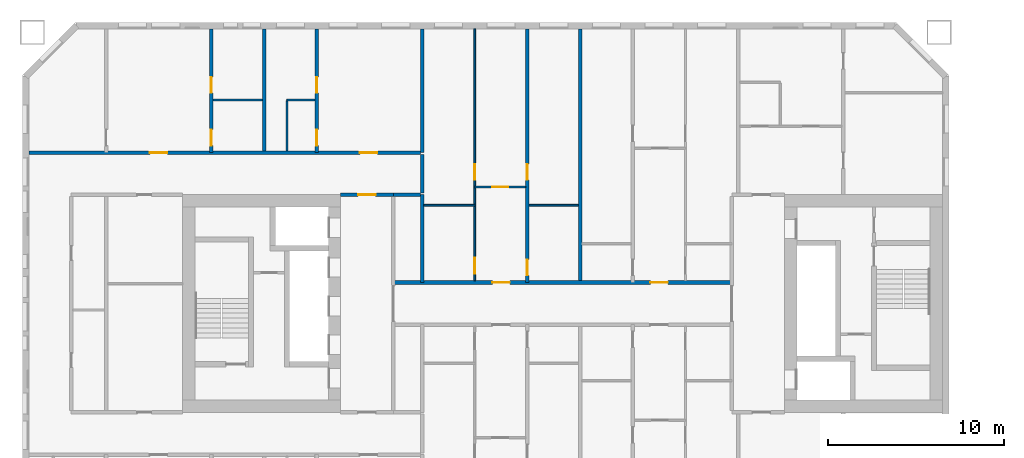
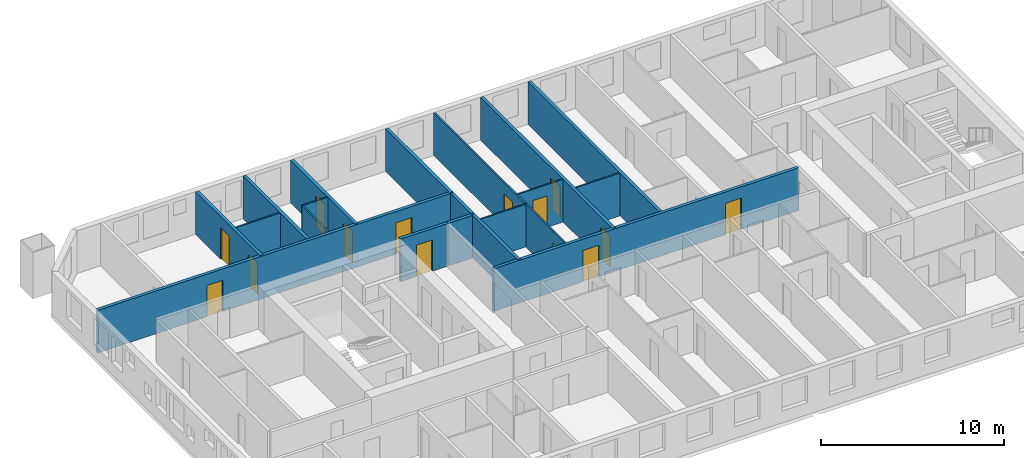
# One storey, part 5 of 17: 19 walls, 14 doors, 14 openings.
"""IFC4 building model written with IfcOpenShell, lengths in metres."""

from ifc_helpers import new_model, si_unit, direction, frame, frame_2d, origin, place, context, subcontext, project, spatial, rectangle, extrude, material, layer, layer_set, type_object, element, fill, save


model = new_model("IFC4")

# Units and contexts
model_context = context("Model", 3, precision=1e-05, world=origin(), true_north=direction((0.0, 1.0)))
body_context = subcontext(model_context, "Body", "Model", "MODEL_VIEW")
ifc_project = project(units=[si_unit("LENGTHUNIT", "METRE"), si_unit("AREAUNIT", "SQUARE_METRE"), si_unit("VOLUMEUNIT", "CUBIC_METRE"), si_unit("PLANEANGLEUNIT", "RADIAN"), si_unit("MASSUNIT", "GRAM", prefix="KILO")], contexts=[model_context])

# Site, building, storey
site_placement = place(None, origin())
site = spatial("IfcSite", under=ifc_project, at=site_placement, CompositionType="ELEMENT")
building_placement = place(site_placement, origin())
building = spatial("IfcBuilding", under=site, at=building_placement, Name="Tuart Gate Housing", CompositionType="ELEMENT")
storey_placement = place(building_placement, frame((0.0, 0.0, 74.699951171875)))
storey = spatial("IfcBuildingStorey", under=building, at=storey_placement, Name="L20", CompositionType="ELEMENT", Elevation=74.699951171875)

# Wall, openings, doors
ifc_material_1 = material(Name="Concrete masonry 15 MPa", Category="masonry")
ifc_layer_1 = layer(ifc_material_1, 0.199951171875)
ifc_layer_set_1 = layer_set([ifc_layer_1], Name="Corridor wall masonry 200")
wall_type_1 = type_object("IfcWallType", Name="Corridor wall masonry 200", PredefinedType="PARTITIONING", material=ifc_layer_set_1)
wall_1_placement = place(storey_placement, frame((44.360107421875, 71.199951171875, 0.0), z_axis=(0.0, 0.0, 1.0), x_axis=(1.0, 0.0, 0.0)))
wall_1 = element("IfcWall", 1, at=wall_1_placement, inside=storey, type_object=wall_type_1, Name="Corridor wall masonry 200", PredefinedType="PARTITIONING", context=body_context, shape_type="SweptSolid", body=[
    extrude(rectangle(XDim=19.27978515625, YDim=0.199951171875, at=frame_2d((9.639892578125, 0.0))), origin(), (0.0, 0.0, 1.0), 2.85009765625),
])
opening_1_placement = place(wall_1_placement, frame((14.639892578125, 0.0, 0.0)))
opening_1 = element("IfcOpeningElement", 2, at=opening_1_placement, cuts=wall_1, Name="Opening D859", PredefinedType="OPENING", context=body_context, shape_type="SweptSolid", body=[
    extrude(rectangle(XDim=1.0, YDim=2.10009765625, at=frame_2d((0.5, 1.050048828125))), frame((0.0, 0.10986328125, 0.0), z_axis=(0.0, -1.0, 0.0), x_axis=(1.0, 0.0, 0.0)), (0.0, 0.0, 1.0), 0.219970703125),
])
opening_2_placement = place(wall_1_placement, frame((5.639892578125, 0.0, 0.0)))
opening_2 = element("IfcOpeningElement", 3, at=opening_2_placement, cuts=wall_1, Name="Opening D860", PredefinedType="OPENING", context=body_context, shape_type="SweptSolid", body=[
    extrude(rectangle(XDim=1.0, YDim=2.10009765625, at=frame_2d((0.5, 1.050048828125))), frame((0.0, 0.10986328125, 0.0), z_axis=(0.0, -1.0, 0.0), x_axis=(1.0, 0.0, 0.0)), (0.0, 0.0, 1.0), 0.219970703125),
])
ifc_material_2 = material(Name="Timber door leaf in steel frame", Category="steel")
door_type_1 = type_object("IfcDoorType", Name="Flat entrance door 1000", OperationType="SINGLE_SWING_LEFT", PredefinedType="DOOR", material=ifc_material_2)
door_1_placement = place(opening_1_placement, origin())
door_1 = element("IfcDoor", 4, at=door_1_placement, inside=storey, type_object=door_type_1, Name="Flat entrance door", OperationType="SINGLE_SWING_LEFT", OverallHeight=2.10009765625, OverallWidth=1.0, PredefinedType="DOOR", context=body_context, shape_type="SweptSolid", body=[
    extrude(rectangle(XDim=1.0, YDim=2.10009765625, at=frame_2d((0.5, 1.050048828125))), frame((0.0, 0.02490234375, 0.0), z_axis=(0.0, -1.0, 0.0), x_axis=(1.0, 0.0, 0.0)), (0.0, 0.0, 1.0), 0.050048828125),
])
fill(opening_1, door_1)
door_2_placement = place(opening_2_placement, origin())
door_2 = element("IfcDoor", 5, at=door_2_placement, inside=storey, type_object=door_type_1, Name="Flat entrance door", OperationType="SINGLE_SWING_LEFT", OverallHeight=2.10009765625, OverallWidth=1.0, PredefinedType="DOOR", context=body_context, shape_type="SweptSolid", body=[
    extrude(rectangle(XDim=1.0, YDim=2.10009765625, at=frame_2d((0.5, 1.050048828125))), frame((0.0, 0.02490234375, 0.0), z_axis=(0.0, -1.0, 0.0), x_axis=(1.0, 0.0, 0.0)), (0.0, 0.0, 1.0), 0.050048828125),
])
fill(opening_2, door_2)

# Wall
wall_2_placement = place(storey_placement, frame((44.360107421875, 76.199951171875, 0.0), z_axis=(0.0, 0.0, 1.0), x_axis=(1.0, 0.0, 0.0)))
element("IfcWall", 6, at=wall_2_placement, inside=storey, type_object=wall_type_1, Name="Corridor wall masonry 200", PredefinedType="PARTITIONING", context=body_context, shape_type="SweptSolid", body=[
    extrude(rectangle(XDim=1.539794921875, YDim=0.199951171875, at=frame_2d((0.77001953125, 0.0))), origin(), (0.0, 0.0, 1.0), 2.85009765625),
])

# Wall, openings, doors
wall_3_placement = place(storey_placement, frame((23.610107421875, 78.60009765625, 0.0), z_axis=(0.0, 0.0, 1.0), x_axis=(1.0, 0.0, 0.0)))
wall_3 = element("IfcWall", 7, at=wall_3_placement, inside=storey, type_object=wall_type_1, Name="Corridor wall masonry 200", PredefinedType="PARTITIONING", context=body_context, shape_type="SweptSolid", body=[
    extrude(rectangle(XDim=22.289794921875, YDim=0.199951171875, at=frame_2d((11.14501953125, 0.0))), origin(), (0.0, 0.0, 1.0), 2.85009765625),
])
opening_3_placement = place(wall_3_placement, frame((18.840087890625, 0.0, 0.0)))
opening_3 = element("IfcOpeningElement", 8, at=opening_3_placement, cuts=wall_3, Name="Opening D843", PredefinedType="OPENING", context=body_context, shape_type="SweptSolid", body=[
    extrude(rectangle(XDim=1.0, YDim=2.10009765625, at=frame_2d((0.5, 1.050048828125))), frame((0.0, 0.10986328125, 0.0), z_axis=(0.0, -1.0, 0.0), x_axis=(1.0, 0.0, 0.0)), (0.0, 0.0, 1.0), 0.219970703125),
])
opening_4_placement = place(wall_3_placement, frame((6.889892578125, 0.0, 0.0)))
opening_4 = element("IfcOpeningElement", 9, at=opening_4_placement, cuts=wall_3, Name="Opening D844", PredefinedType="OPENING", context=body_context, shape_type="SweptSolid", body=[
    extrude(rectangle(XDim=1.0, YDim=2.10009765625, at=frame_2d((0.5, 1.050048828125))), frame((0.0, 0.10986328125, 0.0), z_axis=(0.0, -1.0, 0.0), x_axis=(1.0, 0.0, 0.0)), (0.0, 0.0, 1.0), 0.219970703125),
])
door_3_placement = place(opening_3_placement, origin())
door_3 = element("IfcDoor", 10, at=door_3_placement, inside=storey, type_object=door_type_1, Name="Flat entrance door", OperationType="SINGLE_SWING_LEFT", OverallHeight=2.10009765625, OverallWidth=1.0, PredefinedType="DOOR", context=body_context, shape_type="SweptSolid", body=[
    extrude(rectangle(XDim=1.0, YDim=2.10009765625, at=frame_2d((0.5, 1.050048828125))), frame((0.0, 0.02490234375, 0.0), z_axis=(0.0, -1.0, 0.0), x_axis=(1.0, 0.0, 0.0)), (0.0, 0.0, 1.0), 0.050048828125),
])
fill(opening_3, door_3)
door_4_placement = place(opening_4_placement, origin())
door_4 = element("IfcDoor", 11, at=door_4_placement, inside=storey, type_object=door_type_1, Name="Flat entrance door", OperationType="SINGLE_SWING_LEFT", OverallHeight=2.10009765625, OverallWidth=1.0, PredefinedType="DOOR", context=body_context, shape_type="SweptSolid", body=[
    extrude(rectangle(XDim=1.0, YDim=2.10009765625, at=frame_2d((0.5, 1.050048828125))), frame((0.0, 0.02490234375, 0.0), z_axis=(0.0, -1.0, 0.0), x_axis=(1.0, 0.0, 0.0)), (0.0, 0.0, 1.0), 0.050048828125),
])
fill(opening_4, door_4)

# Wall
wall_4_placement = place(storey_placement, frame((46.0, 76.300048828125, 0.0), z_axis=(0.0, 0.0, 1.0), x_axis=(0.0, 1.0, 0.0)))
element("IfcWall", 12, at=wall_4_placement, inside=storey, type_object=wall_type_1, Name="Corridor wall masonry 200", PredefinedType="PARTITIONING", context=body_context, shape_type="SweptSolid", body=[
    extrude(rectangle(XDim=2.199951171875, YDim=0.199951171875, at=frame_2d((1.10009765625, 0.0))), origin(), (0.0, 0.0, 1.0), 2.85009765625),
])

# Wall, opening, door
ifc_material_3 = material(Name="Concrete masonry 15 MPa", Category="masonry")
ifc_layer_2 = layer(ifc_material_3, 0.199951171875)
ifc_layer_set_2 = layer_set([ifc_layer_2], Name="Enclosure wall masonry 200")
wall_type_2 = type_object("IfcWallType", Name="Enclosure wall masonry 200", PredefinedType="PARTITIONING", material=ifc_layer_set_2)
wall_5_placement = place(storey_placement, frame((41.360107421875, 76.199951171875, 0.0), z_axis=(0.0, 0.0, 1.0), x_axis=(1.0, 0.0, 0.0)))
wall_5 = element("IfcWall", 13, at=wall_5_placement, inside=storey, type_object=wall_type_2, Name="Enclosure wall masonry 200", PredefinedType="PARTITIONING", context=body_context, shape_type="SweptSolid", body=[
    extrude(rectangle(XDim=3.0, YDim=0.199951171875, at=frame_2d((1.5, 0.0))), origin(), (0.0, 0.0, 1.0), 2.85009765625),
])
opening_5_placement = place(wall_5_placement, frame((1.0, 0.0, 0.0)))
opening_5 = element("IfcOpeningElement", 14, at=opening_5_placement, cuts=wall_5, Name="Opening D855", PredefinedType="OPENING", context=body_context, shape_type="SweptSolid", body=[
    extrude(rectangle(XDim=1.0, YDim=2.10009765625, at=frame_2d((0.5, 1.050048828125))), frame((0.0, 0.10986328125, 0.0), z_axis=(0.0, -1.0, 0.0), x_axis=(1.0, 0.0, 0.0)), (0.0, 0.0, 1.0), 0.219970703125),
])
ifc_material_4 = material(Name="Timber door leaf in steel frame", Category="steel")
door_type_2 = type_object("IfcDoorType", Name="Fire door 1000 RH", OperationType="SINGLE_SWING_RIGHT", PredefinedType="DOOR", material=ifc_material_4)
door_5_placement = place(opening_5_placement, origin())
door_5 = element("IfcDoor", 15, at=door_5_placement, inside=storey, type_object=door_type_2, Name="Fire door", OperationType="SINGLE_SWING_RIGHT", OverallHeight=2.10009765625, OverallWidth=1.0, PredefinedType="DOOR", context=body_context, shape_type="SweptSolid", body=[
    extrude(rectangle(XDim=1.0, YDim=2.10009765625, at=frame_2d((0.5, 1.050048828125))), frame((0.0, 0.02490234375, 0.0), z_axis=(0.0, -1.0, 0.0), x_axis=(1.0, 0.0, 0.0)), (0.0, 0.0, 1.0), 0.050048828125),
])
fill(opening_5, door_5)

# Walls
ifc_material_5 = material(Name="Gypsum board on steel studs", Category="steel")
ifc_layer_3 = layer(ifc_material_5, 0.10009765625)
ifc_layer_set_3 = layer_set([ifc_layer_3], Name="Partition 100")
wall_type_3 = type_object("IfcWallType", Name="Partition 100", PredefinedType="PARTITIONING", material=ifc_layer_set_3)
wall_6_placement = place(storey_placement, frame((46.10009765625, 75.60009765625, 0.0), z_axis=(0.0, 0.0, 1.0), x_axis=(1.0, 0.0, 0.0)))
element("IfcWall", 16, at=wall_6_placement, inside=storey, type_object=wall_type_3, Name="Partition 100", PredefinedType="PARTITIONING", context=body_context, shape_type="SweptSolid", body=[
    extrude(rectangle(XDim=2.89990234375, YDim=0.10009765625, at=frame_2d((1.449951171875, 0.0))), origin(), (0.0, 0.0, 1.0), 2.85009765625),
])
wall_7_placement = place(storey_placement, frame((52.10009765625, 75.60009765625, 0.0), z_axis=(0.0, 0.0, 1.0), x_axis=(1.0, 0.0, 0.0)))
element("IfcWall", 17, at=wall_7_placement, inside=storey, type_object=wall_type_3, Name="Partition 100", PredefinedType="PARTITIONING", context=body_context, shape_type="SweptSolid", body=[
    extrude(rectangle(XDim=2.7998046875, YDim=0.10009765625, at=frame_2d((1.39990234375, 0.0))), origin(), (0.0, 0.0, 1.0), 2.85009765625),
])

# Wall, opening, door
wall_8_placement = place(storey_placement, frame((49.0, 76.639892578125, 0.0), z_axis=(0.0, 0.0, 1.0), x_axis=(1.0, 0.0, 0.0)))
wall_8 = element("IfcWall", 18, at=wall_8_placement, inside=storey, type_object=wall_type_3, Name="Partition 100", PredefinedType="PARTITIONING", context=body_context, shape_type="SweptSolid", body=[
    extrude(rectangle(XDim=2.89990234375, YDim=0.10009765625, at=frame_2d((1.449951171875, 0.0))), origin(), (0.0, 0.0, 1.0), 2.85009765625),
])
opening_6_placement = place(wall_8_placement, frame((1.0, 0.0, 0.0)))
opening_6 = element("IfcOpeningElement", 19, at=opening_6_placement, cuts=wall_8, Name="Opening D853", PredefinedType="OPENING", context=body_context, shape_type="SweptSolid", body=[
    extrude(rectangle(XDim=0.89990234375, YDim=2.10009765625, at=frame_2d((0.449951171875, 1.050048828125))), frame((0.0, 0.06005859375, 0.0), z_axis=(0.0, -1.0, 0.0), x_axis=(1.0, 0.0, 0.0)), (0.0, 0.0, 1.0), 0.1201171875),
])
ifc_material_6 = material(Name="Timber door leaf in steel frame", Category="steel")
door_type_3 = type_object("IfcDoorType", Name="Internal door 900 RH", OperationType="SINGLE_SWING_RIGHT", PredefinedType="DOOR", material=ifc_material_6)
door_6_placement = place(opening_6_placement, frame((0.89990234375, 0.0, 0.0), z_axis=(0.0, 0.0, 1.0), x_axis=(-1.0, 0.0, 0.0)))
door_6 = element("IfcDoor", 20, at=door_6_placement, inside=storey, type_object=door_type_3, Name="Internal door", OperationType="SINGLE_SWING_RIGHT", OverallHeight=2.10009765625, OverallWidth=0.89990234375, PredefinedType="DOOR", context=body_context, shape_type="SweptSolid", body=[
    extrude(rectangle(XDim=0.89990234375, YDim=2.10009765625, at=frame_2d((0.449951171875, 1.050048828125))), frame((0.0, 0.025146484375, 0.0), z_axis=(0.0, -1.0, 0.0), x_axis=(1.0, 0.0, 0.0)), (0.0, 0.0, 1.0), 0.050048828125),
])
fill(opening_6, door_6)

# Walls
wall_9_placement = place(storey_placement, frame((34.10009765625, 81.60009765625, 0.0), z_axis=(0.0, 0.0, 1.0), x_axis=(1.0, 0.0, 0.0)))
element("IfcWall", 21, at=wall_9_placement, inside=storey, type_object=wall_type_3, Name="Partition 100", PredefinedType="PARTITIONING", context=body_context, shape_type="SweptSolid", body=[
    extrude(rectangle(XDim=2.7998046875, YDim=0.10009765625, at=frame_2d((1.39990234375, 0.0))), origin(), (0.0, 0.0, 1.0), 2.85009765625),
])
wall_10_placement = place(storey_placement, frame((38.300048828125, 81.60009765625, 0.0), z_axis=(0.0, 0.0, 1.0), x_axis=(1.0, 0.0, 0.0)))
element("IfcWall", 22, at=wall_10_placement, inside=storey, type_object=wall_type_3, Name="Partition 100", PredefinedType="PARTITIONING", context=body_context, shape_type="SweptSolid", body=[
    extrude(rectangle(XDim=1.599853515625, YDim=0.10009765625, at=frame_2d((0.7998046875, 0.0))), origin(), (0.0, 0.0, 1.0), 2.85009765625),
])
wall_11_placement = place(storey_placement, frame((38.300048828125, 78.699951171875, 0.0), z_axis=(0.0, 0.0, 1.0), x_axis=(0.0, 1.0, 0.0)))
element("IfcWall", 23, at=wall_11_placement, inside=storey, type_object=wall_type_3, Name="Partition 100", PredefinedType="PARTITIONING", context=body_context, shape_type="SweptSolid", body=[
    extrude(rectangle(XDim=2.85009765625, YDim=0.10009765625, at=frame_2d((1.425048828125, 0.0))), origin(), (0.0, 0.0, 1.0), 2.85009765625),
])

# Wall, openings, doors
wall_12_placement = place(storey_placement, frame((49.0, 71.300048828125, 0.0), z_axis=(0.0, 0.0, 1.0), x_axis=(0.0, 1.0, 0.0)))
wall_12 = element("IfcWall", 24, at=wall_12_placement, inside=storey, type_object=wall_type_3, Name="Partition 100", PredefinedType="PARTITIONING", context=body_context, shape_type="SweptSolid", body=[
    extrude(rectangle(XDim=14.33984375, YDim=0.10009765625, at=frame_2d((7.169921875, 0.0))), origin(), (0.0, 0.0, 1.0), 2.85009765625),
])
opening_7_placement = place(wall_12_placement, frame((5.739990234375, 0.0, 0.0)))
opening_7 = element("IfcOpeningElement", 25, at=opening_7_placement, cuts=wall_12, Name="Opening D846", PredefinedType="OPENING", context=body_context, shape_type="SweptSolid", body=[
    extrude(rectangle(XDim=0.89990234375, YDim=2.10009765625, at=frame_2d((0.449951171875, 1.050048828125))), frame((0.0, 0.06005859375, 0.0), z_axis=(0.0, -1.0, 0.0), x_axis=(1.0, 0.0, 0.0)), (0.0, 0.0, 1.0), 0.1201171875),
])
opening_8_placement = place(wall_12_placement, frame((0.39990234375, 0.0, 0.0)))
opening_8 = element("IfcOpeningElement", 26, at=opening_8_placement, cuts=wall_12, Name="Opening D845", PredefinedType="OPENING", context=body_context, shape_type="SweptSolid", body=[
    extrude(rectangle(XDim=0.89990234375, YDim=2.10009765625, at=frame_2d((0.449951171875, 1.050048828125))), frame((0.0, 0.06005859375, 0.0), z_axis=(0.0, -1.0, 0.0), x_axis=(1.0, 0.0, 0.0)), (0.0, 0.0, 1.0), 0.1201171875),
])
ifc_material_7 = material(Name="Timber door leaf in steel frame", Category="steel")
door_type_4 = type_object("IfcDoorType", Name="Bathroom door 900", OperationType="SINGLE_SWING_LEFT", PredefinedType="DOOR", material=ifc_material_7)
door_7_placement = place(opening_8_placement, origin())
door_7 = element("IfcDoor", 27, at=door_7_placement, inside=storey, type_object=door_type_4, Name="Bathroom door", OperationType="SINGLE_SWING_LEFT", OverallHeight=2.10009765625, OverallWidth=0.89990234375, PredefinedType="DOOR", context=body_context, shape_type="SweptSolid", body=[
    extrude(rectangle(XDim=0.89990234375, YDim=2.10009765625, at=frame_2d((0.449951171875, 1.050048828125))), frame((0.0, 0.02490234375, 0.0), z_axis=(0.0, -1.0, 0.0), x_axis=(1.0, 0.0, 0.0)), (0.0, 0.0, 1.0), 0.050048828125),
])
fill(opening_8, door_7)
ifc_material_8 = material(Name="Timber door leaf in steel frame", Category="steel")
door_type_5 = type_object("IfcDoorType", Name="Internal door 900", OperationType="SINGLE_SWING_LEFT", PredefinedType="DOOR", material=ifc_material_8)
door_8_placement = place(opening_7_placement, origin())
door_8 = element("IfcDoor", 28, at=door_8_placement, inside=storey, type_object=door_type_5, Name="Internal door", OperationType="SINGLE_SWING_LEFT", OverallHeight=2.10009765625, OverallWidth=0.89990234375, PredefinedType="DOOR", context=body_context, shape_type="SweptSolid", body=[
    extrude(rectangle(XDim=0.89990234375, YDim=2.10009765625, at=frame_2d((0.449951171875, 1.050048828125))), frame((0.0, 0.02490234375, 0.0), z_axis=(0.0, -1.0, 0.0), x_axis=(1.0, 0.0, 0.0)), (0.0, 0.0, 1.0), 0.050048828125),
])
fill(opening_7, door_8)

ifc_material_9 = material(Name="Concrete C40", Category="concrete")
ifc_layer_4 = layer(ifc_material_9, 0.199951171875)
ifc_layer_set_4 = layer_set([ifc_layer_4], Name="Party wall concrete C40 200")
wall_type_4 = type_object("IfcWallType", Name="Party wall concrete C40 200", PredefinedType="SOLIDWALL", material=ifc_layer_set_4)
wall_13_placement = place(storey_placement, frame((34.0, 78.60009765625, 0.0), z_axis=(0.0, 0.0, 1.0), x_axis=(0.0, 1.0, 0.0)))
wall_13 = element("IfcWall", 29, at=wall_13_placement, inside=storey, type_object=wall_type_4, Name="Party wall concrete C40 200", PredefinedType="SOLIDWALL", context=body_context, shape_type="SweptSolid", body=[
    extrude(rectangle(XDim=7.039794921875, YDim=0.199951171875, at=frame_2d((3.52001953125, 0.0))), origin(), (0.0, 0.0, 1.0), 2.85009765625),
])
opening_9_placement = place(wall_13_placement, frame((3.39990234375, 0.0, 0.0)))
opening_9 = element("IfcOpeningElement", 30, at=opening_9_placement, cuts=wall_13, Name="Opening D835", PredefinedType="OPENING", context=body_context, shape_type="SweptSolid", body=[
    extrude(rectangle(XDim=0.89990234375, YDim=2.10009765625, at=frame_2d((0.449951171875, 1.050048828125))), frame((0.0, 0.10986328125, 0.0), z_axis=(0.0, -1.0, 0.0), x_axis=(1.0, 0.0, 0.0)), (0.0, 0.0, 1.0), 0.219970703125),
])
opening_10_placement = place(wall_13_placement, frame((0.39990234375, 0.0, 0.0)))
opening_10 = element("IfcOpeningElement", 31, at=opening_10_placement, cuts=wall_13, Name="Opening D834", PredefinedType="OPENING", context=body_context, shape_type="SweptSolid", body=[
    extrude(rectangle(XDim=0.89990234375, YDim=2.10009765625, at=frame_2d((0.449951171875, 1.050048828125))), frame((0.0, 0.10986328125, 0.0), z_axis=(0.0, -1.0, 0.0), x_axis=(1.0, 0.0, 0.0)), (0.0, 0.0, 1.0), 0.219970703125),
])
ifc_material_10 = material(Name="Timber door leaf in steel frame", Category="steel")
door_type_6 = type_object("IfcDoorType", Name="Bathroom door 900 RH", OperationType="SINGLE_SWING_RIGHT", PredefinedType="DOOR", material=ifc_material_10)
door_9_placement = place(opening_10_placement, frame((0.89990234375, 0.0, 0.0), z_axis=(0.0, 0.0, 1.0), x_axis=(-1.0, 0.0, 0.0)))
door_9 = element("IfcDoor", 32, at=door_9_placement, inside=storey, type_object=door_type_6, Name="Bathroom door", OperationType="SINGLE_SWING_RIGHT", OverallHeight=2.10009765625, OverallWidth=0.89990234375, PredefinedType="DOOR", context=body_context, shape_type="SweptSolid", body=[
    extrude(rectangle(XDim=0.89990234375, YDim=2.10009765625, at=frame_2d((0.449951171875, 1.050048828125))), frame((0.0, 0.025146484375, 0.0), z_axis=(0.0, -1.0, 0.0), x_axis=(1.0, 0.0, 0.0)), (0.0, 0.0, 1.0), 0.050048828125),
])
fill(opening_10, door_9)
door_10_placement = place(opening_9_placement, frame((0.89990234375, 0.0, 0.0), z_axis=(0.0, 0.0, 1.0), x_axis=(-1.0, 0.0, 0.0)))
door_10 = element("IfcDoor", 33, at=door_10_placement, inside=storey, type_object=door_type_3, Name="Internal door", OperationType="SINGLE_SWING_RIGHT", OverallHeight=2.10009765625, OverallWidth=0.89990234375, PredefinedType="DOOR", context=body_context, shape_type="SweptSolid", body=[
    extrude(rectangle(XDim=0.89990234375, YDim=2.10009765625, at=frame_2d((0.449951171875, 1.050048828125))), frame((0.0, 0.025146484375, 0.0), z_axis=(0.0, -1.0, 0.0), x_axis=(1.0, 0.0, 0.0)), (0.0, 0.0, 1.0), 0.050048828125),
])
fill(opening_9, door_10)

wall_14_placement = place(storey_placement, frame((40.0, 78.60009765625, 0.0), z_axis=(0.0, 0.0, 1.0), x_axis=(0.0, 1.0, 0.0)))
wall_14 = element("IfcWall", 34, at=wall_14_placement, inside=storey, type_object=wall_type_4, Name="Party wall concrete C40 200", PredefinedType="SOLIDWALL", context=body_context, shape_type="SweptSolid", body=[
    extrude(rectangle(XDim=7.039794921875, YDim=0.199951171875, at=frame_2d((3.52001953125, 0.0))), origin(), (0.0, 0.0, 1.0), 2.85009765625),
])
opening_11_placement = place(wall_14_placement, frame((3.39990234375, 0.0, 0.0)))
opening_11 = element("IfcOpeningElement", 35, at=opening_11_placement, cuts=wall_14, Name="Opening D837", PredefinedType="OPENING", context=body_context, shape_type="SweptSolid", body=[
    extrude(rectangle(XDim=0.89990234375, YDim=2.10009765625, at=frame_2d((0.449951171875, 1.050048828125))), frame((0.0, 0.10986328125, 0.0), z_axis=(0.0, -1.0, 0.0), x_axis=(1.0, 0.0, 0.0)), (0.0, 0.0, 1.0), 0.219970703125),
])
opening_12_placement = place(wall_14_placement, frame((0.39990234375, 0.0, 0.0)))
opening_12 = element("IfcOpeningElement", 36, at=opening_12_placement, cuts=wall_14, Name="Opening D836", PredefinedType="OPENING", context=body_context, shape_type="SweptSolid", body=[
    extrude(rectangle(XDim=0.89990234375, YDim=2.10009765625, at=frame_2d((0.449951171875, 1.050048828125))), frame((0.0, 0.10986328125, 0.0), z_axis=(0.0, -1.0, 0.0), x_axis=(1.0, 0.0, 0.0)), (0.0, 0.0, 1.0), 0.219970703125),
])
door_11_placement = place(opening_12_placement, origin())
door_11 = element("IfcDoor", 37, at=door_11_placement, inside=storey, type_object=door_type_4, Name="Bathroom door", OperationType="SINGLE_SWING_LEFT", OverallHeight=2.10009765625, OverallWidth=0.89990234375, PredefinedType="DOOR", context=body_context, shape_type="SweptSolid", body=[
    extrude(rectangle(XDim=0.89990234375, YDim=2.10009765625, at=frame_2d((0.449951171875, 1.050048828125))), frame((0.0, 0.02490234375, 0.0), z_axis=(0.0, -1.0, 0.0), x_axis=(1.0, 0.0, 0.0)), (0.0, 0.0, 1.0), 0.050048828125),
])
fill(opening_12, door_11)
door_12_placement = place(opening_11_placement, origin())
door_12 = element("IfcDoor", 38, at=door_12_placement, inside=storey, type_object=door_type_5, Name="Internal door", OperationType="SINGLE_SWING_LEFT", OverallHeight=2.10009765625, OverallWidth=0.89990234375, PredefinedType="DOOR", context=body_context, shape_type="SweptSolid", body=[
    extrude(rectangle(XDim=0.89990234375, YDim=2.10009765625, at=frame_2d((0.449951171875, 1.050048828125))), frame((0.0, 0.02490234375, 0.0), z_axis=(0.0, -1.0, 0.0), x_axis=(1.0, 0.0, 0.0)), (0.0, 0.0, 1.0), 0.050048828125),
])
fill(opening_11, door_12)

# Walls
wall_15_placement = place(storey_placement, frame((46.0, 71.199951171875, 0.0), z_axis=(0.0, 0.0, 1.0), x_axis=(0.0, 1.0, 0.0)))
element("IfcWall", 39, at=wall_15_placement, inside=storey, type_object=wall_type_4, Name="Party wall concrete C40 200", PredefinedType="SOLIDWALL", context=body_context, shape_type="SweptSolid", body=[
    extrude(rectangle(XDim=5.0, YDim=0.199951171875, at=frame_2d((2.5, 0.0))), origin(), (0.0, 0.0, 1.0), 2.85009765625),
])
wall_16_placement = place(storey_placement, frame((46.0, 78.60009765625, 0.0), z_axis=(0.0, 0.0, 1.0), x_axis=(0.0, 1.0, 0.0)))
element("IfcWall", 40, at=wall_16_placement, inside=storey, type_object=wall_type_4, Name="Party wall concrete C40 200", PredefinedType="SOLIDWALL", context=body_context, shape_type="SweptSolid", body=[
    extrude(rectangle(XDim=7.039794921875, YDim=0.199951171875, at=frame_2d((3.52001953125, 0.0))), origin(), (0.0, 0.0, 1.0), 2.85009765625),
])

# Wall, openings, doors
wall_17_placement = place(storey_placement, frame((52.0, 71.199951171875, 0.0), z_axis=(0.0, 0.0, 1.0), x_axis=(0.0, 1.0, 0.0)))
wall_17 = element("IfcWall", 41, at=wall_17_placement, inside=storey, type_object=wall_type_4, Name="Party wall concrete C40 200", PredefinedType="SOLIDWALL", context=body_context, shape_type="SweptSolid", body=[
    extrude(rectangle(XDim=14.43994140625, YDim=0.199951171875, at=frame_2d((7.219970703125, 0.0))), origin(), (0.0, 0.0, 1.0), 2.85009765625),
])
opening_13_placement = place(wall_17_placement, frame((5.840087890625, 0.0, 0.0)))
opening_13 = element("IfcOpeningElement", 42, at=opening_13_placement, cuts=wall_17, Name="Opening D850", PredefinedType="OPENING", context=body_context, shape_type="SweptSolid", body=[
    extrude(rectangle(XDim=0.89990234375, YDim=2.10009765625, at=frame_2d((0.449951171875, 1.050048828125))), frame((0.0, 0.10986328125, 0.0), z_axis=(0.0, -1.0, 0.0), x_axis=(1.0, 0.0, 0.0)), (0.0, 0.0, 1.0), 0.219970703125),
])
opening_14_placement = place(wall_17_placement, frame((0.39990234375, 0.0, 0.0)))
opening_14 = element("IfcOpeningElement", 43, at=opening_14_placement, cuts=wall_17, Name="Opening D849", PredefinedType="OPENING", context=body_context, shape_type="SweptSolid", body=[
    extrude(rectangle(XDim=0.89990234375, YDim=2.10009765625, at=frame_2d((0.449951171875, 1.050048828125))), frame((0.0, 0.10986328125, 0.0), z_axis=(0.0, -1.0, 0.0), x_axis=(1.0, 0.0, 0.0)), (0.0, 0.0, 1.0), 0.219970703125),
])
door_13_placement = place(opening_14_placement, frame((0.89990234375, 0.0, 0.0), z_axis=(0.0, 0.0, 1.0), x_axis=(-1.0, 0.0, 0.0)))
door_13 = element("IfcDoor", 44, at=door_13_placement, inside=storey, type_object=door_type_6, Name="Bathroom door", OperationType="SINGLE_SWING_RIGHT", OverallHeight=2.10009765625, OverallWidth=0.89990234375, PredefinedType="DOOR", context=body_context, shape_type="SweptSolid", body=[
    extrude(rectangle(XDim=0.89990234375, YDim=2.10009765625, at=frame_2d((0.449951171875, 1.050048828125))), frame((0.0, 0.025146484375, 0.0), z_axis=(0.0, -1.0, 0.0), x_axis=(1.0, 0.0, 0.0)), (0.0, 0.0, 1.0), 0.050048828125),
])
fill(opening_14, door_13)
door_14_placement = place(opening_13_placement, frame((0.89990234375, 0.0, 0.0), z_axis=(0.0, 0.0, 1.0), x_axis=(-1.0, 0.0, 0.0)))
door_14 = element("IfcDoor", 45, at=door_14_placement, inside=storey, type_object=door_type_3, Name="Internal door", OperationType="SINGLE_SWING_RIGHT", OverallHeight=2.10009765625, OverallWidth=0.89990234375, PredefinedType="DOOR", context=body_context, shape_type="SweptSolid", body=[
    extrude(rectangle(XDim=0.89990234375, YDim=2.10009765625, at=frame_2d((0.449951171875, 1.050048828125))), frame((0.0, 0.025146484375, 0.0), z_axis=(0.0, -1.0, 0.0), x_axis=(1.0, 0.0, 0.0)), (0.0, 0.0, 1.0), 0.050048828125),
])
fill(opening_13, door_14)

# Walls
ifc_material_11 = material(Name="Concrete masonry 15 MPa", Category="masonry")
ifc_layer_5 = layer(ifc_material_11, 0.199951171875)
ifc_layer_set_5 = layer_set([ifc_layer_5], Name="Party wall masonry 200")
wall_type_5 = type_object("IfcWallType", Name="Party wall masonry 200", PredefinedType="PARTITIONING", material=ifc_layer_set_5)
wall_18_placement = place(storey_placement, frame((37.0, 78.699951171875, 0.0), z_axis=(0.0, 0.0, 1.0), x_axis=(0.0, 1.0, 0.0)))
element("IfcWall", 46, at=wall_18_placement, inside=storey, type_object=wall_type_5, Name="Party wall masonry 200", PredefinedType="PARTITIONING", context=body_context, shape_type="SweptSolid", body=[
    extrude(rectangle(XDim=6.93994140625, YDim=0.199951171875, at=frame_2d((3.469970703125, 0.0))), origin(), (0.0, 0.0, 1.0), 2.85009765625),
])
wall_19_placement = place(storey_placement, frame((55.0, 71.300048828125, 0.0), z_axis=(0.0, 0.0, 1.0), x_axis=(0.0, 1.0, 0.0)))
element("IfcWall", 47, at=wall_19_placement, inside=storey, type_object=wall_type_5, Name="Party wall masonry 200", PredefinedType="PARTITIONING", context=body_context, shape_type="SweptSolid", body=[
    extrude(rectangle(XDim=14.33984375, YDim=0.199951171875, at=frame_2d((7.169921875, 0.0))), origin(), (0.0, 0.0, 1.0), 2.85009765625),
])

save(model, "model.ifc")
